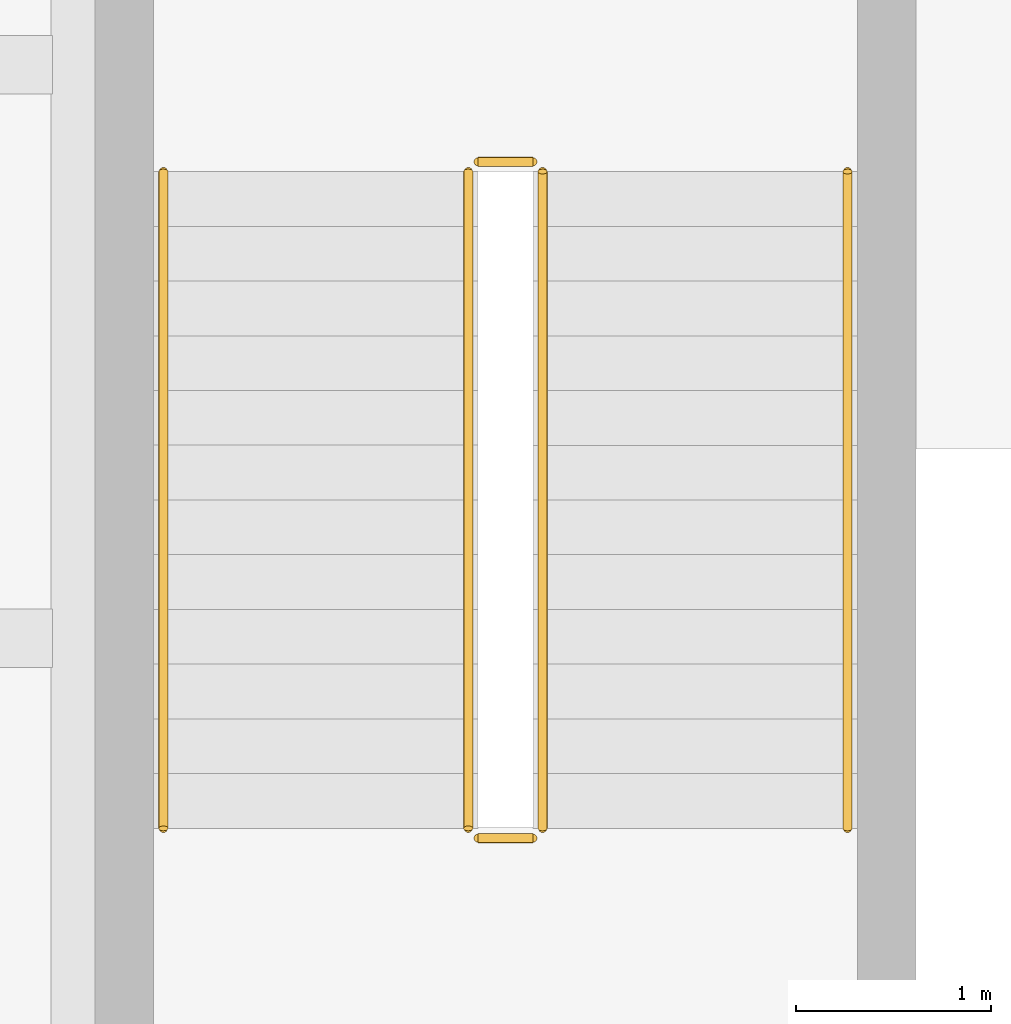
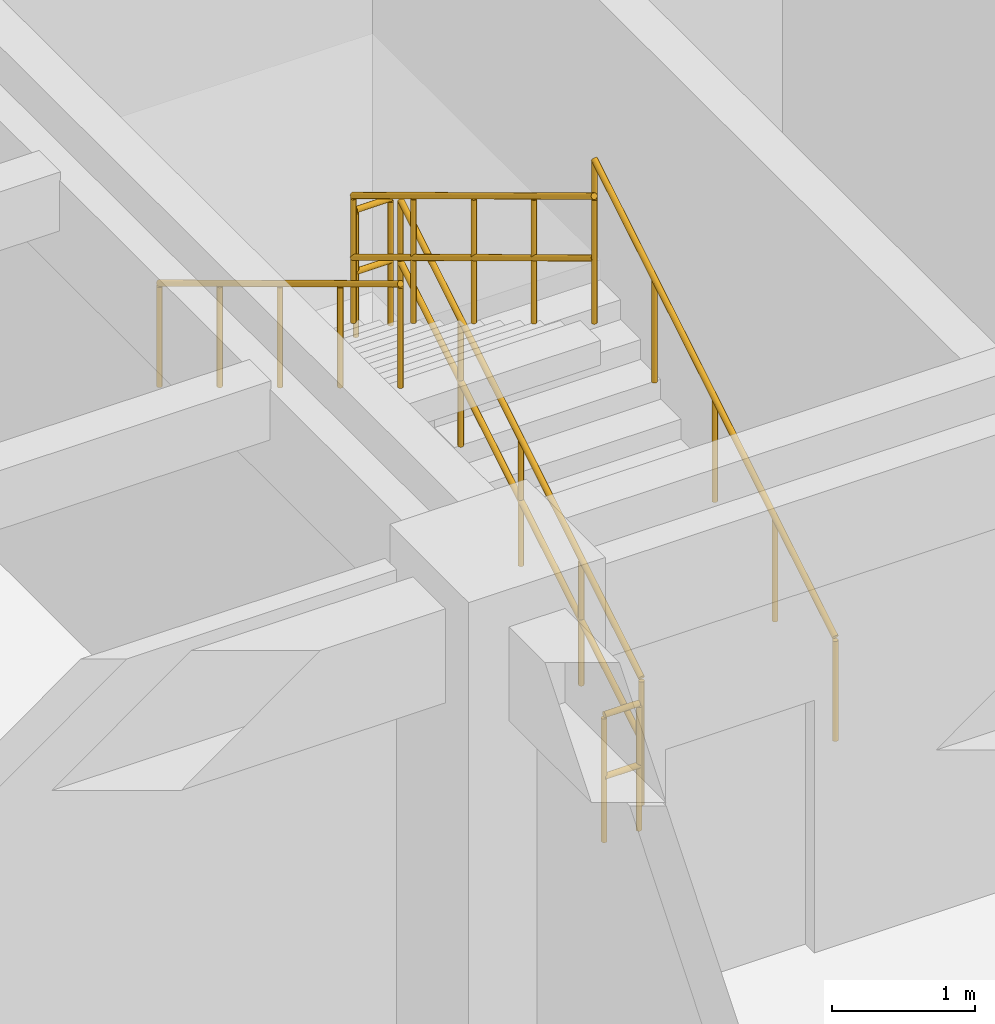
# One storey, part 90 of 90: 6 railings.
"""IFC4 building model written with IfcOpenShell, lengths in metres."""

from ifc_helpers import new_model, si_unit, direction, frame, origin, origin_2d, place, context, subcontext, project, spatial, circle, extrude, material, type_object, element, save


model = new_model("IFC4")

# Units and contexts
model_context = context("Model", 3, precision=1e-05, world=origin(), true_north=direction((0.0, 1.0)))
body_context = subcontext(model_context, "Body", "Model", "MODEL_VIEW")
ifc_project = project(units=[si_unit("LENGTHUNIT", "METRE"), si_unit("AREAUNIT", "SQUARE_METRE"), si_unit("VOLUMEUNIT", "CUBIC_METRE"), si_unit("PLANEANGLEUNIT", "RADIAN"), si_unit("MASSUNIT", "GRAM", prefix="KILO")], contexts=[model_context])

# Site, building, storey
site_placement = place(None, origin())
site = spatial("IfcSite", under=ifc_project, at=site_placement, CompositionType="ELEMENT")
building_placement = place(site_placement, origin())
building = spatial("IfcBuilding", under=site, at=building_placement, Name="Muzn Square Opera House", CompositionType="ELEMENT")
storey_placement = place(building_placement, frame((0.0, 0.0, 9.800048828125)))
storey = spatial("IfcBuildingStorey", under=building, at=storey_placement, Name="L02", CompositionType="ELEMENT", Elevation=9.800048828125)

# Railings
ifc_material = material(Name="Brushed stainless steel", Category="metal")
railing_type_1 = type_object("IfcRailingType", Name="Stair Guard Railing 1120mm", PredefinedType="GUARDRAIL", material=ifc_material)
railing_1_placement = place(storey_placement, frame((135.2900390625, 91.760009765625, 0.169189453125)))
element("IfcRailing", 1, at=railing_1_placement, inside=storey, type_object=railing_type_1, Name="L02 ST-5 stair guard 1", PredefinedType="GUARDRAIL", context=body_context, shape_type="SweptSolid", body=[
    extrude(circle(Radius=0.02392578125, at=origin_2d()), frame((0.0, 0.0, 1.076171875), z_axis=(0.0, 0.855836976705, 0.517245656632), x_axis=(-1.0, 0.0, 0.0)), (0.0, 0.0, 1.0), 3.926025390625),
    extrude(circle(Radius=0.02392578125, at=origin_2d()), frame((0.0, 0.0, 0.550048828125), z_axis=(0.0, 0.855836976705, 0.517245656632), x_axis=(-1.0, 0.0, 0.0)), (0.0, 0.0, 1.0), 3.926025390625),
    extrude(circle(Radius=0.02099609375, at=origin_2d()), origin(), (0.0, 0.0, 1.0), 1.052001953125),
    extrude(circle(Radius=0.02099609375, at=origin_2d()), frame((0.0, 0.840087890625, 0.5078125)), (0.0, 0.0, 1.0), 1.052001953125),
    extrude(circle(Radius=0.02099609375, at=origin_2d()), frame((0.0, 1.68017578125, 1.015380859375)), (0.0, 0.0, 1.0), 1.052001953125),
    extrude(circle(Radius=0.02099609375, at=origin_2d()), frame((0.0, 2.52001953125, 1.52294921875)), (0.0, 0.0, 1.0), 1.052001953125),
    extrude(circle(Radius=0.02099609375, at=origin_2d()), frame((0.0, 3.360107421875, 2.03076171875)), (0.0, 0.0, 1.0), 1.052001953125),
])
railing_2_placement = place(storey_placement, frame((135.239990234375, 95.169921875, 2.199951171875)))
element("IfcRailing", 2, at=railing_2_placement, inside=storey, type_object=railing_type_1, Name="L02 ST-5 stair guard 2", PredefinedType="GUARDRAIL", context=body_context, shape_type="SweptSolid", body=[
    extrude(circle(Radius=0.02392578125, at=origin_2d()), frame((0.0, 0.0, 1.076171875), z_axis=(-1.0, 0.0, 0.0), x_axis=(0.0, -1.0, 0.0)), (0.0, 0.0, 1.0), 0.280029296875),
    extrude(circle(Radius=0.02392578125, at=origin_2d()), frame((0.0, 0.0, 0.550048828125), z_axis=(-1.0, 0.0, 0.0), x_axis=(0.0, -1.0, 0.0)), (0.0, 0.0, 1.0), 0.280029296875),
    extrude(circle(Radius=0.02099609375, at=origin_2d()), origin(), (0.0, 0.0, 1.0), 1.052001953125),
    extrude(circle(Radius=0.02099609375, at=origin_2d()), frame((-0.280029296875, 0.0, 0.0)), (0.0, 0.0, 1.0), 1.052001953125),
])
railing_3_placement = place(storey_placement, frame((134.909912109375, 95.1201171875, 2.369140625)))
element("IfcRailing", 3, at=railing_3_placement, inside=storey, type_object=railing_type_1, Name="L02 ST-5 stair guard 3", PredefinedType="GUARDRAIL", context=body_context, shape_type="SweptSolid", body=[
    extrude(circle(Radius=0.02392578125, at=origin_2d()), frame((0.0, 0.0, 1.076171875), z_axis=(0.0, -0.855836976705, 0.517245656632), x_axis=(1.0, 0.0, 0.0)), (0.0, 0.0, 1.0), 3.926025390625),
    extrude(circle(Radius=0.02392578125, at=origin_2d()), frame((0.0, 0.0, 0.550048828125), z_axis=(0.0, -0.855836976705, 0.517245656632), x_axis=(1.0, 0.0, 0.0)), (0.0, 0.0, 1.0), 3.926025390625),
    extrude(circle(Radius=0.02099609375, at=origin_2d()), origin(), (0.0, 0.0, 1.0), 1.052001953125),
    extrude(circle(Radius=0.02099609375, at=origin_2d()), frame((0.0, -0.840087890625, 0.5078125)), (0.0, 0.0, 1.0), 1.052001953125),
    extrude(circle(Radius=0.02099609375, at=origin_2d()), frame((0.0, -1.68017578125, 1.015380859375)), (0.0, 0.0, 1.0), 1.052001953125),
    extrude(circle(Radius=0.02099609375, at=origin_2d()), frame((0.0, -2.52001953125, 1.52294921875)), (0.0, 0.0, 1.0), 1.052001953125),
    extrude(circle(Radius=0.02099609375, at=origin_2d()), frame((0.0, -3.360107421875, 2.03076171875)), (0.0, 0.0, 1.0), 1.052001953125),
])
railing_4_placement = place(storey_placement, frame((135.239990234375, 91.7099609375, 0.0)))
element("IfcRailing", 4, at=railing_4_placement, inside=storey, type_object=railing_type_1, Name="L02 ST-5 stair guard 4", PredefinedType="GUARDRAIL", context=body_context, shape_type="SweptSolid", body=[
    extrude(circle(Radius=0.02392578125, at=origin_2d()), frame((0.0, 0.0, 1.076171875), z_axis=(-1.0, 0.0, 0.0), x_axis=(0.0, -1.0, 0.0)), (0.0, 0.0, 1.0), 0.280029296875),
    extrude(circle(Radius=0.02392578125, at=origin_2d()), frame((0.0, 0.0, 0.550048828125), z_axis=(-1.0, 0.0, 0.0), x_axis=(0.0, -1.0, 0.0)), (0.0, 0.0, 1.0), 0.280029296875),
    extrude(circle(Radius=0.02099609375, at=origin_2d()), origin(), (0.0, 0.0, 1.0), 1.052001953125),
    extrude(circle(Radius=0.02099609375, at=origin_2d()), frame((-0.280029296875, 0.0, 0.0)), (0.0, 0.0, 1.0), 1.052001953125),
])
railing_type_2 = type_object("IfcRailingType", Name="Stair Pitch Handrail 900mm", PredefinedType="HANDRAIL", material=ifc_material)
railing_5_placement = place(storey_placement, frame((136.85009765625, 91.760009765625, 0.169189453125)))
element("IfcRailing", 5, at=railing_5_placement, inside=storey, type_object=railing_type_2, Name="L02 ST-5 stair handrail 1", PredefinedType="HANDRAIL", context=body_context, shape_type="SweptSolid", body=[
    extrude(circle(Radius=0.02392578125, at=origin_2d()), frame((0.0, 0.0, 0.8759765625), z_axis=(0.0, 0.855836976705, 0.517245656632), x_axis=(-1.0, 0.0, 0.0)), (0.0, 0.0, 1.0), 3.926025390625),
    extrude(circle(Radius=0.02099609375, at=origin_2d()), origin(), (0.0, 0.0, 1.0), 0.851806640625),
    extrude(circle(Radius=0.02099609375, at=origin_2d()), frame((0.0, 0.840087890625, 0.5078125)), (0.0, 0.0, 1.0), 0.851806640625),
    extrude(circle(Radius=0.02099609375, at=origin_2d()), frame((0.0, 1.68017578125, 1.015380859375)), (0.0, 0.0, 1.0), 0.851806640625),
    extrude(circle(Radius=0.02099609375, at=origin_2d()), frame((0.0, 2.52001953125, 1.52294921875)), (0.0, 0.0, 1.0), 0.851806640625),
    extrude(circle(Radius=0.02099609375, at=origin_2d()), frame((0.0, 3.360107421875, 2.03076171875)), (0.0, 0.0, 1.0), 0.851806640625),
])
railing_6_placement = place(storey_placement, frame((133.35009765625, 95.1201171875, 2.369140625)))
element("IfcRailing", 6, at=railing_6_placement, inside=storey, type_object=railing_type_2, Name="L02 ST-5 stair handrail 2", PredefinedType="HANDRAIL", context=body_context, shape_type="SweptSolid", body=[
    extrude(circle(Radius=0.02392578125, at=origin_2d()), frame((0.0, 0.0, 0.8759765625), z_axis=(0.0, -0.855836976705, 0.517245656632), x_axis=(1.0, 0.0, 0.0)), (0.0, 0.0, 1.0), 3.926025390625),
    extrude(circle(Radius=0.02099609375, at=origin_2d()), origin(), (0.0, 0.0, 1.0), 0.851806640625),
    extrude(circle(Radius=0.02099609375, at=origin_2d()), frame((0.0, -0.840087890625, 0.5078125)), (0.0, 0.0, 1.0), 0.851806640625),
    extrude(circle(Radius=0.02099609375, at=origin_2d()), frame((0.0, -1.68017578125, 1.015380859375)), (0.0, 0.0, 1.0), 0.851806640625),
    extrude(circle(Radius=0.02099609375, at=origin_2d()), frame((0.0, -2.52001953125, 1.52294921875)), (0.0, 0.0, 1.0), 0.851806640625),
    extrude(circle(Radius=0.02099609375, at=origin_2d()), frame((0.0, -3.360107421875, 2.03076171875)), (0.0, 0.0, 1.0), 0.851806640625),
])

save(model, "model.ifc")
